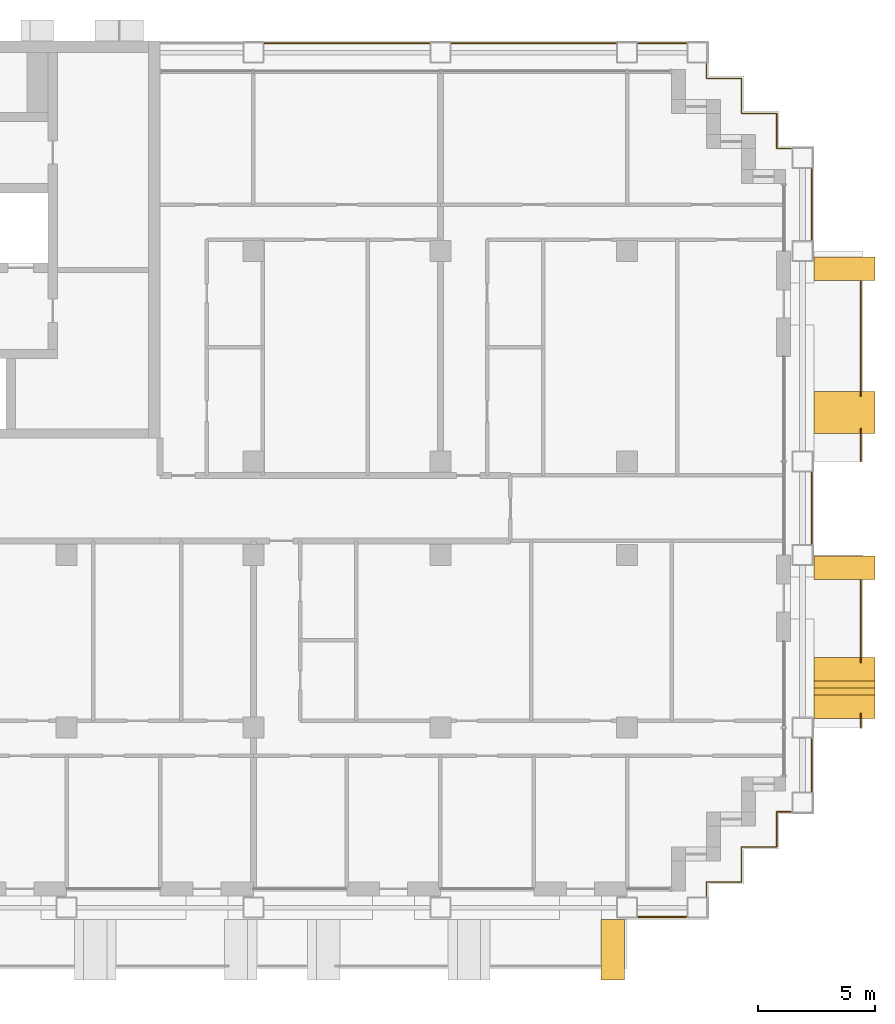
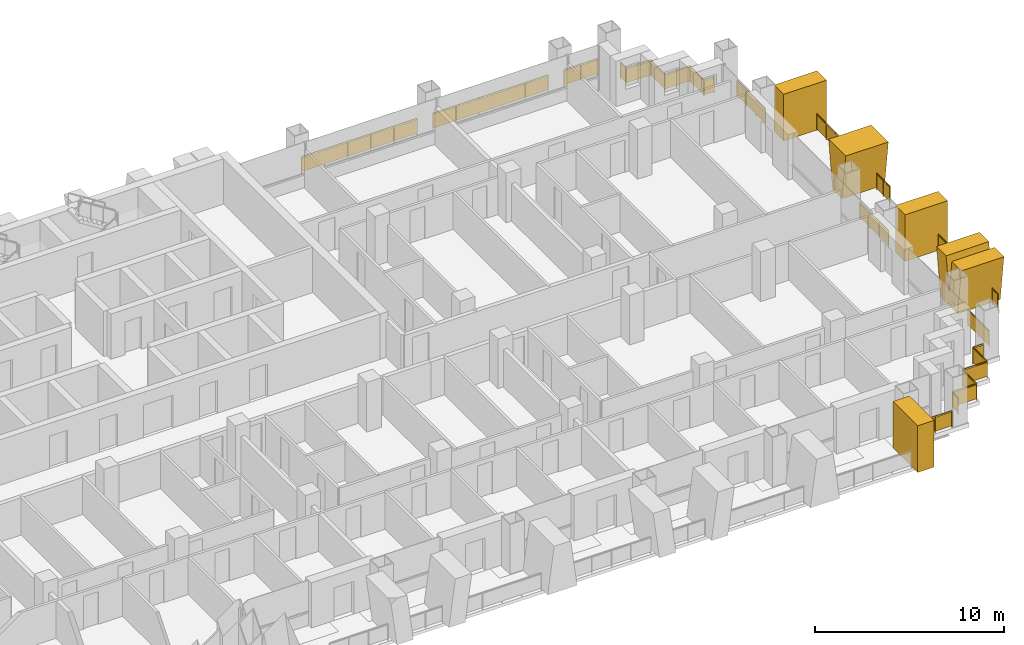
# One storey, part 18 of 18: 13 railings, 5 shading devices.
"""IFC4 building model written with IfcOpenShell, lengths in metres."""

from ifc_helpers import new_model, si_unit, direction, frame, origin, origin_2d, place, context, subcontext, project, spatial, polyline, rectangle, circle, outline, extrude, material, layer, layer_set, type_object, element, save


model = new_model("IFC4")

# Units and contexts
model_context = context("Model", 3, precision=1e-05, world=origin(), true_north=direction((0.0, 1.0)))
body_context = subcontext(model_context, "Body", "Model", "MODEL_VIEW")
ifc_project = project(units=[si_unit("LENGTHUNIT", "METRE"), si_unit("AREAUNIT", "SQUARE_METRE"), si_unit("VOLUMEUNIT", "CUBIC_METRE"), si_unit("PLANEANGLEUNIT", "RADIAN"), si_unit("MASSUNIT", "GRAM", prefix="KILO")], contexts=[model_context])

# Site, building, storey
site_placement = place(None, origin())
site = spatial("IfcSite", under=ifc_project, at=site_placement, CompositionType="ELEMENT")
building_placement = place(site_placement, origin())
building = spatial("IfcBuilding", under=site, at=building_placement, Name="Vidyagriha Tower", CompositionType="ELEMENT")
storey_placement = place(building_placement, frame((0.0, 0.0, 90.300048828125)))
storey = spatial("IfcBuildingStorey", under=building, at=storey_placement, Name="L23", CompositionType="ELEMENT", Elevation=90.300048828125)

# Railings
ifc_material_1 = material(Name="Steel ASTM A500 Grade C black painted", Category="steel")
railing_type_1 = type_object("IfcRailingType", Name="Balcony guard 1100", PredefinedType="BALUSTRADE", material=ifc_material_1)
railing_1_placement = place(storey_placement, frame((44.0, -9.39990234375, 0.0)))
element("IfcRailing", 1, at=railing_1_placement, inside=storey, type_object=railing_type_1, Name="Balcony guard L23 R30.1-1", PredefinedType="BALUSTRADE", context=body_context, shape_type="SweptSolid", body=[
    extrude(circle(Radius=0.02490234375, at=origin_2d()), frame((0.0, 0.0, 1.0751953125), z_axis=(0.0, 1.0, 0.0), x_axis=(-1.0, 0.0, 0.0)), (0.0, 0.0, 1.0), 0.5966796875),
    extrude(circle(Radius=0.02001953125, at=origin_2d()), origin(), (0.0, 0.0, 1.0), 1.050048828125),
    extrude(circle(Radius=0.02001953125, at=origin_2d()), frame((0.0, 0.5966796875, 0.0)), (0.0, 0.0, 1.0), 1.050048828125),
    extrude(rectangle(XDim=0.010009765625, YDim=0.900146484375, at=origin_2d()), frame((0.0, 0.0, 0.550048828125), z_axis=(0.0, 1.0, 0.0), x_axis=(-1.0, 0.0, 0.0)), (0.0, 0.0, 1.0), 0.5966796875),
])
railing_2_placement = place(storey_placement, frame((44.0, -6.5966796875, 0.0)))
element("IfcRailing", 2, at=railing_2_placement, inside=storey, type_object=railing_type_1, Name="Balcony guard L23 R30.1-2", PredefinedType="BALUSTRADE", context=body_context, shape_type="SweptSolid", body=[
    extrude(circle(Radius=0.02490234375, at=origin_2d()), frame((0.0, 0.0, 1.0751953125), z_axis=(0.0, 1.0, 0.0), x_axis=(-1.0, 0.0, 0.0)), (0.0, 0.0, 1.0), 3.49658203125),
    extrude(circle(Radius=0.02001953125, at=origin_2d()), origin(), (0.0, 0.0, 1.0), 1.050048828125),
    extrude(circle(Radius=0.02001953125, at=origin_2d()), frame((0.0, 1.16552734375, 0.0)), (0.0, 0.0, 1.0), 1.050048828125),
    extrude(circle(Radius=0.02001953125, at=origin_2d()), frame((0.0, 2.3310546875, 0.0)), (0.0, 0.0, 1.0), 1.050048828125),
    extrude(circle(Radius=0.02001953125, at=origin_2d()), frame((0.0, 3.49658203125, 0.0)), (0.0, 0.0, 1.0), 1.050048828125),
    extrude(rectangle(XDim=0.010009765625, YDim=0.900146484375, at=origin_2d()), frame((0.0, 0.0, 0.550048828125), z_axis=(0.0, 1.0, 0.0), x_axis=(-1.0, 0.0, 0.0)), (0.0, 0.0, 1.0), 3.49658203125),
])
railing_3_placement = place(storey_placement, frame((44.0, 2.0, 0.0)))
element("IfcRailing", 3, at=railing_3_placement, inside=storey, type_object=railing_type_1, Name="Balcony guard L23 R30.2-1", PredefinedType="BALUSTRADE", context=body_context, shape_type="SweptSolid", body=[
    extrude(circle(Radius=0.02490234375, at=origin_2d()), frame((0.0, 0.0, 1.0751953125), z_axis=(0.0, 1.0, 0.0), x_axis=(-1.0, 0.0, 0.0)), (0.0, 0.0, 1.0), 1.396728515625),
    extrude(circle(Radius=0.02001953125, at=origin_2d()), origin(), (0.0, 0.0, 1.0), 1.050048828125),
    extrude(circle(Radius=0.02001953125, at=origin_2d()), frame((0.0, 0.6982421875, 0.0)), (0.0, 0.0, 1.0), 1.050048828125),
    extrude(circle(Radius=0.02001953125, at=origin_2d()), frame((0.0, 1.396728515625, 0.0)), (0.0, 0.0, 1.0), 1.050048828125),
    extrude(rectangle(XDim=0.010009765625, YDim=0.900146484375, at=origin_2d()), frame((0.0, 0.0, 0.550048828125), z_axis=(0.0, 1.0, 0.0), x_axis=(-1.0, 0.0, 0.0)), (0.0, 0.0, 1.0), 1.396728515625),
])
railing_4_placement = place(storey_placement, frame((44.0, 4.80322265625, 0.0)))
element("IfcRailing", 4, at=railing_4_placement, inside=storey, type_object=railing_type_1, Name="Balcony guard L23 R30.2-2", PredefinedType="BALUSTRADE", context=body_context, shape_type="SweptSolid", body=[
    extrude(circle(Radius=0.02490234375, at=origin_2d()), frame((0.0, 0.0, 1.0751953125), z_axis=(0.0, 1.0, 0.0), x_axis=(-1.0, 0.0, 0.0)), (0.0, 0.0, 1.0), 4.896728515625),
    extrude(circle(Radius=0.02001953125, at=origin_2d()), origin(), (0.0, 0.0, 1.0), 1.050048828125),
    extrude(circle(Radius=0.02001953125, at=origin_2d()), frame((0.0, 0.979248046875, 0.0)), (0.0, 0.0, 1.0), 1.050048828125),
    extrude(circle(Radius=0.02001953125, at=origin_2d()), frame((0.0, 1.958740234375, 0.0)), (0.0, 0.0, 1.0), 1.050048828125),
    extrude(circle(Radius=0.02001953125, at=origin_2d()), frame((0.0, 2.93798828125, 0.0)), (0.0, 0.0, 1.0), 1.050048828125),
    extrude(circle(Radius=0.02001953125, at=origin_2d()), frame((0.0, 3.91748046875, 0.0)), (0.0, 0.0, 1.0), 1.050048828125),
    extrude(circle(Radius=0.02001953125, at=origin_2d()), frame((0.0, 4.896728515625, 0.0)), (0.0, 0.0, 1.0), 1.050048828125),
    extrude(rectangle(XDim=0.010009765625, YDim=0.900146484375, at=origin_2d()), frame((0.0, 0.0, 0.550048828125), z_axis=(0.0, 1.0, 0.0), x_axis=(-1.0, 0.0, 0.0)), (0.0, 0.0, 1.0), 4.896728515625),
])

# Shading devices
ifc_material_2 = material(Name="Precast concrete C40/50 with buff brick facing", Category="concrete")
ifc_layer_1 = layer(ifc_material_2, 1.0)
ifc_layer_set_1 = layer_set([ifc_layer_1], Name="Precast concrete C40/50 with buff brick facing")
shading_device_type_1 = type_object("IfcShadingDeviceType", Name="Brick-faced blade fin forking 8 degrees", PredefinedType="USERDEFINED", material=ifc_layer_set_1)
shading_device_1_placement = place(storey_placement, frame((43.300048828125, -9.0, 0.0), z_axis=(0.0, 0.0, 1.0), x_axis=(0.0, 1.0, 0.0)))
element("IfcShadingDevice", 5, at=shading_device_1_placement, inside=storey, type_object=shading_device_type_1, Name="Forked blade fin L23 R30.210a", ObjectType="BLADE FIN", PredefinedType="USERDEFINED", context=body_context, shape_type="SweptSolid", body=[
    extrude(outline(polyline([(0.39990234375, 0.0), (2.199951171875, 0.0), (2.60009765625, 3.0), (1.60009765625, 3.0), (1.300048828125, 0.75), (1.0, 3.0), (0.0, 3.0), (0.39990234375, 0.0)])), frame((0.0, 1.300048828125, 0.0), z_axis=(0.0, -1.0, 0.0), x_axis=(1.0, 0.0, 0.0)), (0.0, 0.0, 1.0), 2.60009765625),
])
shading_device_2_placement = place(storey_placement, frame((43.300048828125, 3.199951171875, 0.0), z_axis=(0.0, 0.0, 1.0), x_axis=(0.0, 1.0, 0.0)))
element("IfcShadingDevice", 6, at=shading_device_2_placement, inside=storey, type_object=shading_device_type_1, Name="Forked blade fin L23 R30.1350a", ObjectType="BLADE FIN", PredefinedType="USERDEFINED", context=body_context, shape_type="SweptSolid", body=[
    extrude(outline(polyline([(0.39990234375, 0.0), (1.39990234375, 0.0), (1.800048828125, 3.0), (0.0, 3.0), (0.39990234375, 0.0)])), frame((0.0, 1.300048828125, 0.0), z_axis=(0.0, -1.0, 0.0), x_axis=(1.0, 0.0, 0.0)), (0.0, 0.0, 1.0), 2.60009765625),
])
ifc_material_3 = material(Name="Precast concrete C40/50 with buff brick facing", Category="concrete")
ifc_layer_2 = layer(ifc_material_3, 1.0)
ifc_layer_set_2 = layer_set([ifc_layer_2], Name="Precast concrete C40/50 with buff brick facing")
shading_device_type_2 = type_object("IfcShadingDeviceType", Name="Brick-faced blade fin stem 1000", PredefinedType="USERDEFINED", material=ifc_layer_set_2)
shading_device_3_placement = place(storey_placement, frame((32.875, -18.89990234375, 0.0)))
element("IfcShadingDevice", 7, at=shading_device_3_placement, inside=storey, type_object=shading_device_type_2, Name="Stem blade fin L23 R23.5790a", ObjectType="BLADE FIN", PredefinedType="USERDEFINED", context=body_context, shape_type="SweptSolid", body=[
    extrude(outline(polyline([(0.0, 0.0), (1.0, 0.0), (1.0, 3.0), (0.0, 3.0), (0.0, 0.0)])), frame((0.0, 1.300048828125, 0.0), z_axis=(0.0, -1.0, 0.0), x_axis=(1.0, 0.0, 0.0)), (0.0, 0.0, 1.0), 2.60009765625),
])
for number, where, z_axis, x_axis, name in (
    (8, (43.300048828125, -3.050048828125, 0.0), (0.0, 0.0, 1.0), (0.0, 1.0, 0.0), "Stem blade fin L23 R30.950a"),
    (9, (43.300048828125, 9.75, 0.0), (0.0, 0.0, 1.0), (0.0, 1.0, 0.0), "Stem blade fin L23 R30.2250a"),
):
    element("IfcShadingDevice", number, at=place(storey_placement, frame(where, z_axis=z_axis, x_axis=x_axis)), inside=storey, type_object=shading_device_type_2, Name=name, ObjectType="BLADE FIN", PredefinedType="USERDEFINED", context=body_context, shape_type="SweptSolid", body=[
        extrude(outline(polyline([(0.0, 0.0), (1.0, 0.0), (1.0, 3.0), (0.0, 3.0), (0.0, 0.0)])), frame((0.0, 1.300048828125, 0.0), z_axis=(0.0, -1.0, 0.0), x_axis=(1.0, 0.0, 0.0)), (0.0, 0.0, 1.0), 2.60009765625),
    ])

# Railings
ifc_material_4 = material(Name="Steel ASTM A500 Grade C black painted", Category="steel")
railing_type_2 = type_object("IfcRailingType", Name="Gallery guard 1100", PredefinedType="GUARDRAIL", material=ifc_material_4)
for number, where, name in (
    (10, (18.47998046875, 19.89990234375, 0.0), "Gallery guard L23 10"),
    (11, (26.47998046875, 19.89990234375, 0.0), "Gallery guard L23 11"),
):
    element("IfcRailing", number, at=place(storey_placement, frame(where)), inside=storey, type_object=railing_type_2, Name=name, PredefinedType="GUARDRAIL", context=body_context, shape_type="SweptSolid", body=[
        extrude(circle(Radius=0.02490234375, at=origin_2d()), frame((0.0, 0.0, 1.0751953125), z_axis=(1.0, 0.0, 0.0), x_axis=(0.0, 1.0, 0.0)), (0.0, 0.0, 1.0), 7.0400390625),
        extrude(circle(Radius=0.02001953125, at=origin_2d()), origin(), (0.0, 0.0, 1.0), 1.050048828125),
        extrude(circle(Radius=0.02001953125, at=origin_2d()), frame((1.407958984375, 0.0, 0.0)), (0.0, 0.0, 1.0), 1.050048828125),
        extrude(circle(Radius=0.02001953125, at=origin_2d()), frame((2.81591796875, 0.0, 0.0)), (0.0, 0.0, 1.0), 1.050048828125),
        extrude(circle(Radius=0.02001953125, at=origin_2d()), frame((4.22412109375, 0.0, 0.0)), (0.0, 0.0, 1.0), 1.050048828125),
        extrude(circle(Radius=0.02001953125, at=origin_2d()), frame((5.632080078125, 0.0, 0.0)), (0.0, 0.0, 1.0), 1.050048828125),
        extrude(circle(Radius=0.02001953125, at=origin_2d()), frame((7.0400390625, 0.0, 0.0)), (0.0, 0.0, 1.0), 1.050048828125),
        extrude(rectangle(XDim=0.010009765625, YDim=0.900146484375, at=origin_2d()), frame((0.0, 0.0, 0.550048828125), z_axis=(1.0, 0.0, 0.0), x_axis=(0.0, 1.0, 0.0)), (0.0, 0.0, 1.0), 7.0400390625),
    ])
railing_5_placement = place(storey_placement, frame((36.52001953125, -17.5, 0.0)))
element("IfcRailing", 12, at=railing_5_placement, inside=storey, type_object=railing_type_2, Name="Gallery guard L23 12", PredefinedType="GUARDRAIL", context=body_context, shape_type="SweptSolid", body=[
    extrude(circle(Radius=0.02490234375, at=origin_2d()), frame((0.0, 0.0, 1.0751953125), z_axis=(-1.0, 0.0, 0.0), x_axis=(0.0, -1.0, 0.0)), (0.0, 0.0, 1.0), 2.0400390625),
    extrude(circle(Radius=0.02001953125, at=origin_2d()), origin(), (0.0, 0.0, 1.0), 1.050048828125),
    extrude(circle(Radius=0.02001953125, at=origin_2d()), frame((-1.02001953125, 0.0, 0.0)), (0.0, 0.0, 1.0), 1.050048828125),
    extrude(circle(Radius=0.02001953125, at=origin_2d()), frame((-2.0400390625, 0.0, 0.0)), (0.0, 0.0, 1.0), 1.050048828125),
    extrude(rectangle(XDim=0.010009765625, YDim=0.900146484375, at=origin_2d()), frame((0.0, 0.0, 0.550048828125), z_axis=(-1.0, 0.0, 0.0), x_axis=(0.0, -1.0, 0.0)), (0.0, 0.0, 1.0), 2.0400390625),
])
railing_6_placement = place(storey_placement, frame((34.47998046875, 19.89990234375, 0.0)))
element("IfcRailing", 13, at=railing_6_placement, inside=storey, type_object=railing_type_2, Name="Gallery guard L23 13", PredefinedType="GUARDRAIL", context=body_context, shape_type="SweptSolid", body=[
    extrude(circle(Radius=0.02490234375, at=origin_2d()), frame((0.0, 0.0, 1.0751953125), z_axis=(1.0, 0.0, 0.0), x_axis=(0.0, 1.0, 0.0)), (0.0, 0.0, 1.0), 2.0400390625),
    extrude(circle(Radius=0.02001953125, at=origin_2d()), origin(), (0.0, 0.0, 1.0), 1.050048828125),
    extrude(circle(Radius=0.02001953125, at=origin_2d()), frame((1.02001953125, 0.0, 0.0)), (0.0, 0.0, 1.0), 1.050048828125),
    extrude(circle(Radius=0.02001953125, at=origin_2d()), frame((2.0400390625, 0.0, 0.0)), (0.0, 0.0, 1.0), 1.050048828125),
    extrude(rectangle(XDim=0.010009765625, YDim=0.900146484375, at=origin_2d()), frame((0.0, 0.0, 0.550048828125), z_axis=(1.0, 0.0, 0.0), x_axis=(0.0, 1.0, 0.0)), (0.0, 0.0, 1.0), 2.0400390625),
])
railing_7_placement = place(storey_placement, frame((41.02001953125, -13.0, 0.0)))
element("IfcRailing", 14, at=railing_7_placement, inside=storey, type_object=railing_type_2, Name="Gallery guard L23 14", PredefinedType="GUARDRAIL", context=body_context, shape_type="SweptSolid", body=[
    extrude(circle(Radius=0.02490234375, at=origin_2d()), frame((0.0, 0.0, 1.0751953125), z_axis=(-1.0, 0.0, 0.0), x_axis=(0.0, -1.0, 0.0)), (0.0, 0.0, 1.0), 0.6201171875),
    extrude(circle(Radius=0.02490234375, at=origin_2d()), frame((-0.6201171875, 0.0, 1.0751953125), z_axis=(0.0, -1.0, 0.0), x_axis=(1.0, 0.0, 0.0)), (0.0, 0.0, 1.0), 1.5),
    extrude(circle(Radius=0.02490234375, at=origin_2d()), frame((-0.6201171875, -1.5, 1.0751953125), z_axis=(-1.0, 0.0, 0.0), x_axis=(0.0, -1.0, 0.0)), (0.0, 0.0, 1.0), 1.5),
    extrude(circle(Radius=0.02490234375, at=origin_2d()), frame((-2.1201171875, -1.5, 1.0751953125), z_axis=(0.0, -1.0, 0.0), x_axis=(1.0, 0.0, 0.0)), (0.0, 0.0, 1.0), 1.5),
    extrude(circle(Radius=0.02490234375, at=origin_2d()), frame((-2.1201171875, -3.0, 1.0751953125), z_axis=(-1.0, 0.0, 0.0), x_axis=(0.0, -1.0, 0.0)), (0.0, 0.0, 1.0), 1.5),
    extrude(circle(Radius=0.02490234375, at=origin_2d()), frame((-3.6201171875, -3.0, 1.0751953125), z_axis=(0.0, -1.0, 0.0), x_axis=(1.0, 0.0, 0.0)), (0.0, 0.0, 1.0), 0.6201171875),
    extrude(circle(Radius=0.02001953125, at=origin_2d()), origin(), (0.0, 0.0, 1.0), 1.050048828125),
    extrude(circle(Radius=0.02001953125, at=origin_2d()), frame((-0.6201171875, 0.0, 0.0)), (0.0, 0.0, 1.0), 1.050048828125),
    extrude(circle(Radius=0.02001953125, at=origin_2d()), frame((-0.6201171875, -1.5, 0.0)), (0.0, 0.0, 1.0), 1.050048828125),
    extrude(circle(Radius=0.02001953125, at=origin_2d()), frame((-2.1201171875, -1.5, 0.0)), (0.0, 0.0, 1.0), 1.050048828125),
    extrude(circle(Radius=0.02001953125, at=origin_2d()), frame((-2.1201171875, -3.0, 0.0)), (0.0, 0.0, 1.0), 1.050048828125),
    extrude(circle(Radius=0.02001953125, at=origin_2d()), frame((-3.6201171875, -3.0, 0.0)), (0.0, 0.0, 1.0), 1.050048828125),
    extrude(circle(Radius=0.02001953125, at=origin_2d()), frame((-3.6201171875, -3.6201171875, 0.0)), (0.0, 0.0, 1.0), 1.050048828125),
    extrude(rectangle(XDim=0.010009765625, YDim=0.900146484375, at=origin_2d()), frame((0.0, 0.0, 0.550048828125), z_axis=(-1.0, 0.0, 0.0), x_axis=(0.0, -1.0, 0.0)), (0.0, 0.0, 1.0), 0.6201171875),
    extrude(rectangle(XDim=0.010009765625, YDim=0.900146484375, at=origin_2d()), frame((-0.6201171875, 0.0, 0.550048828125), z_axis=(0.0, -1.0, 0.0), x_axis=(1.0, 0.0, 0.0)), (0.0, 0.0, 1.0), 1.5),
    extrude(rectangle(XDim=0.010009765625, YDim=0.900146484375, at=origin_2d()), frame((-0.6201171875, -1.5, 0.550048828125), z_axis=(-1.0, 0.0, 0.0), x_axis=(0.0, -1.0, 0.0)), (0.0, 0.0, 1.0), 1.5),
    extrude(rectangle(XDim=0.010009765625, YDim=0.900146484375, at=origin_2d()), frame((-2.1201171875, -1.5, 0.550048828125), z_axis=(0.0, -1.0, 0.0), x_axis=(1.0, 0.0, 0.0)), (0.0, 0.0, 1.0), 1.5),
    extrude(rectangle(XDim=0.010009765625, YDim=0.900146484375, at=origin_2d()), frame((-2.1201171875, -3.0, 0.550048828125), z_axis=(-1.0, 0.0, 0.0), x_axis=(0.0, -1.0, 0.0)), (0.0, 0.0, 1.0), 1.5),
    extrude(rectangle(XDim=0.010009765625, YDim=0.900146484375, at=origin_2d()), frame((-3.6201171875, -3.0, 0.550048828125), z_axis=(0.0, -1.0, 0.0), x_axis=(1.0, 0.0, 0.0)), (0.0, 0.0, 1.0), 0.6201171875),
])
railing_8_placement = place(storey_placement, frame((37.39990234375, 19.02001953125, 0.0)))
element("IfcRailing", 15, at=railing_8_placement, inside=storey, type_object=railing_type_2, Name="Gallery guard L23 15", PredefinedType="GUARDRAIL", context=body_context, shape_type="SweptSolid", body=[
    extrude(circle(Radius=0.02490234375, at=origin_2d()), frame((0.0, 0.0, 1.0751953125), z_axis=(0.0, -1.0, 0.0), x_axis=(1.0, 0.0, 0.0)), (0.0, 0.0, 1.0), 0.6201171875),
    extrude(circle(Radius=0.02490234375, at=origin_2d()), frame((0.0, -0.6201171875, 1.0751953125), z_axis=(1.0, 0.0, 0.0), x_axis=(0.0, 1.0, 0.0)), (0.0, 0.0, 1.0), 1.5),
    extrude(circle(Radius=0.02490234375, at=origin_2d()), frame((1.5, -0.6201171875, 1.0751953125), z_axis=(0.0, -1.0, 0.0), x_axis=(1.0, 0.0, 0.0)), (0.0, 0.0, 1.0), 1.5),
    extrude(circle(Radius=0.02490234375, at=origin_2d()), frame((1.5, -2.1201171875, 1.0751953125), z_axis=(1.0, 0.0, 0.0), x_axis=(0.0, 1.0, 0.0)), (0.0, 0.0, 1.0), 1.5),
    extrude(circle(Radius=0.02490234375, at=origin_2d()), frame((3.0, -2.1201171875, 1.0751953125), z_axis=(0.0, -1.0, 0.0), x_axis=(1.0, 0.0, 0.0)), (0.0, 0.0, 1.0), 1.5),
    extrude(circle(Radius=0.02490234375, at=origin_2d()), frame((3.0, -3.6201171875, 1.0751953125), z_axis=(1.0, 0.0, 0.0), x_axis=(0.0, 1.0, 0.0)), (0.0, 0.0, 1.0), 0.6201171875),
    extrude(circle(Radius=0.02001953125, at=origin_2d()), origin(), (0.0, 0.0, 1.0), 1.050048828125),
    extrude(circle(Radius=0.02001953125, at=origin_2d()), frame((0.0, -0.6201171875, 0.0)), (0.0, 0.0, 1.0), 1.050048828125),
    extrude(circle(Radius=0.02001953125, at=origin_2d()), frame((1.5, -0.6201171875, 0.0)), (0.0, 0.0, 1.0), 1.050048828125),
    extrude(circle(Radius=0.02001953125, at=origin_2d()), frame((1.5, -2.1201171875, 0.0)), (0.0, 0.0, 1.0), 1.050048828125),
    extrude(circle(Radius=0.02001953125, at=origin_2d()), frame((3.0, -2.1201171875, 0.0)), (0.0, 0.0, 1.0), 1.050048828125),
    extrude(circle(Radius=0.02001953125, at=origin_2d()), frame((3.0, -3.6201171875, 0.0)), (0.0, 0.0, 1.0), 1.050048828125),
    extrude(circle(Radius=0.02001953125, at=origin_2d()), frame((3.6201171875, -3.6201171875, 0.0)), (0.0, 0.0, 1.0), 1.050048828125),
    extrude(rectangle(XDim=0.010009765625, YDim=0.900146484375, at=origin_2d()), frame((0.0, 0.0, 0.550048828125), z_axis=(0.0, -1.0, 0.0), x_axis=(1.0, 0.0, 0.0)), (0.0, 0.0, 1.0), 0.6201171875),
    extrude(rectangle(XDim=0.010009765625, YDim=0.900146484375, at=origin_2d()), frame((0.0, -0.6201171875, 0.550048828125), z_axis=(1.0, 0.0, 0.0), x_axis=(0.0, 1.0, 0.0)), (0.0, 0.0, 1.0), 1.5),
    extrude(rectangle(XDim=0.010009765625, YDim=0.900146484375, at=origin_2d()), frame((1.5, -0.6201171875, 0.550048828125), z_axis=(0.0, -1.0, 0.0), x_axis=(1.0, 0.0, 0.0)), (0.0, 0.0, 1.0), 1.5),
    extrude(rectangle(XDim=0.010009765625, YDim=0.900146484375, at=origin_2d()), frame((1.5, -2.1201171875, 0.550048828125), z_axis=(1.0, 0.0, 0.0), x_axis=(0.0, 1.0, 0.0)), (0.0, 0.0, 1.0), 1.5),
    extrude(rectangle(XDim=0.010009765625, YDim=0.900146484375, at=origin_2d()), frame((3.0, -2.1201171875, 0.550048828125), z_axis=(0.0, -1.0, 0.0), x_axis=(1.0, 0.0, 0.0)), (0.0, 0.0, 1.0), 1.5),
    extrude(rectangle(XDim=0.010009765625, YDim=0.900146484375, at=origin_2d()), frame((3.0, -3.6201171875, 0.550048828125), z_axis=(1.0, 0.0, 0.0), x_axis=(0.0, 1.0, 0.0)), (0.0, 0.0, 1.0), 0.6201171875),
])
railing_9_placement = place(storey_placement, frame((41.89990234375, -9.8798828125, 0.0)))
element("IfcRailing", 16, at=railing_9_placement, inside=storey, type_object=railing_type_2, Name="Gallery guard L23 16", PredefinedType="GUARDRAIL", context=body_context, shape_type="SweptSolid", body=[
    extrude(circle(Radius=0.02490234375, at=origin_2d()), frame((0.0, 0.0, 1.0751953125), z_axis=(0.0, -1.0, 0.0), x_axis=(1.0, 0.0, 0.0)), (0.0, 0.0, 1.0), 2.240234375),
    extrude(circle(Radius=0.02001953125, at=origin_2d()), origin(), (0.0, 0.0, 1.0), 1.050048828125),
    extrude(circle(Radius=0.02001953125, at=origin_2d()), frame((0.0, -1.1201171875, 0.0)), (0.0, 0.0, 1.0), 1.050048828125),
    extrude(circle(Radius=0.02001953125, at=origin_2d()), frame((0.0, -2.240234375, 0.0)), (0.0, 0.0, 1.0), 1.050048828125),
    extrude(rectangle(XDim=0.010009765625, YDim=0.900146484375, at=origin_2d()), frame((0.0, 0.0, 0.550048828125), z_axis=(0.0, -1.0, 0.0), x_axis=(1.0, 0.0, 0.0)), (0.0, 0.0, 1.0), 2.240234375),
])
for number, where, name in (
    (17, (41.89990234375, 1.52001953125, 0.0), "Gallery guard L23 17"),
    (18, (41.89990234375, 14.52001953125, 0.0), "Gallery guard L23 18"),
):
    element("IfcRailing", number, at=place(storey_placement, frame(where)), inside=storey, type_object=railing_type_2, Name=name, PredefinedType="GUARDRAIL", context=body_context, shape_type="SweptSolid", body=[
        extrude(circle(Radius=0.02490234375, at=origin_2d()), frame((0.0, 0.0, 1.0751953125), z_axis=(0.0, -1.0, 0.0), x_axis=(1.0, 0.0, 0.0)), (0.0, 0.0, 1.0), 3.0400390625),
        extrude(circle(Radius=0.02001953125, at=origin_2d()), origin(), (0.0, 0.0, 1.0), 1.050048828125),
        extrude(circle(Radius=0.02001953125, at=origin_2d()), frame((0.0, -1.013427734375, 0.0)), (0.0, 0.0, 1.0), 1.050048828125),
        extrude(circle(Radius=0.02001953125, at=origin_2d()), frame((0.0, -2.026611328125, 0.0)), (0.0, 0.0, 1.0), 1.050048828125),
        extrude(circle(Radius=0.02001953125, at=origin_2d()), frame((0.0, -3.0400390625, 0.0)), (0.0, 0.0, 1.0), 1.050048828125),
        extrude(rectangle(XDim=0.010009765625, YDim=0.900146484375, at=origin_2d()), frame((0.0, 0.0, 0.550048828125), z_axis=(0.0, -1.0, 0.0), x_axis=(1.0, 0.0, 0.0)), (0.0, 0.0, 1.0), 3.0400390625),
    ])

save(model, "model.ifc")
